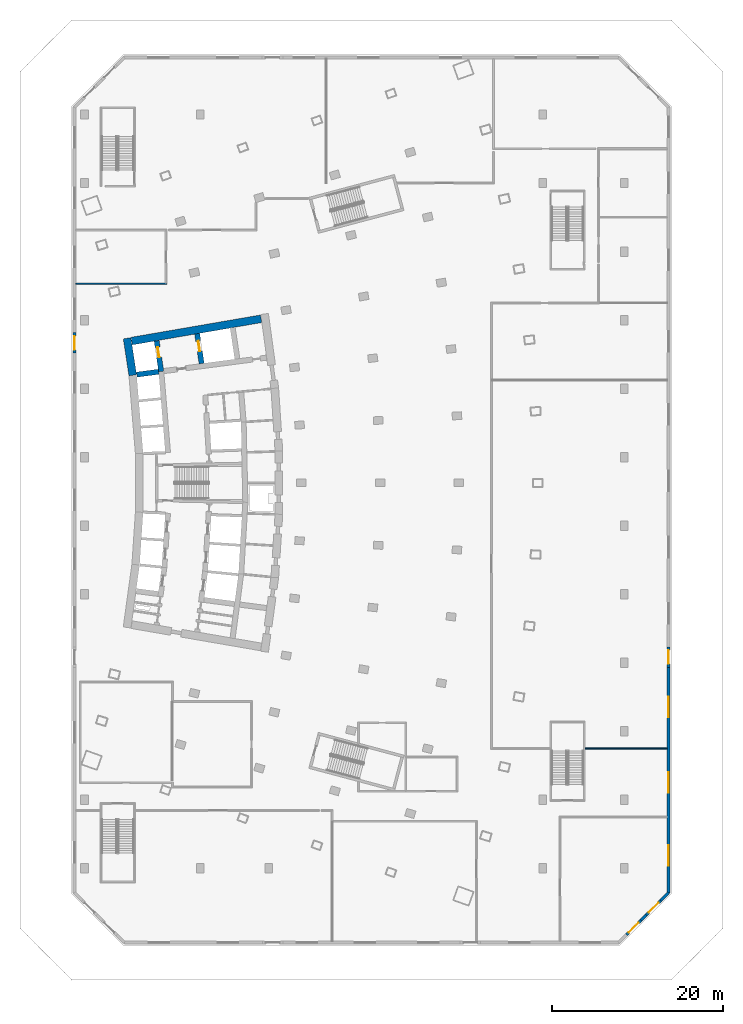
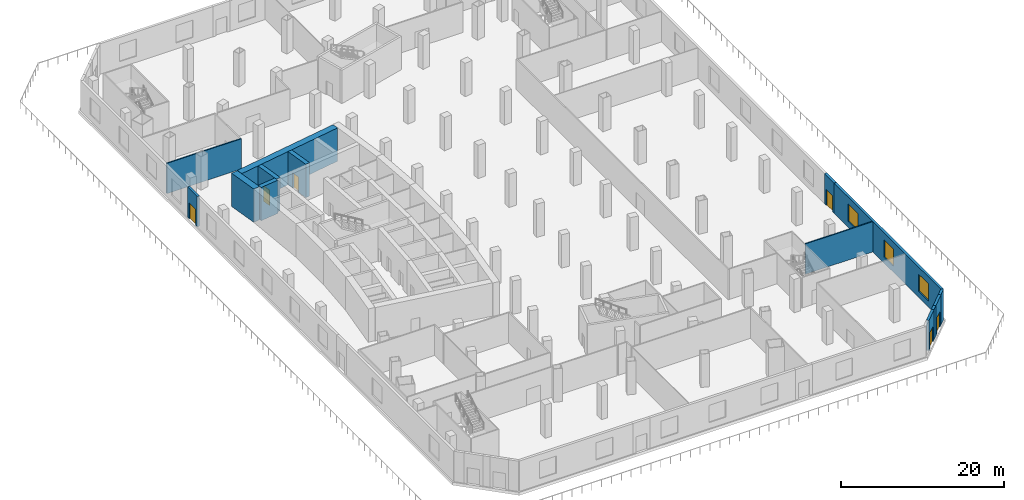
# One storey, part 6 of 15: 14 walls, 6 doors, 3 windows, 9 openings.
"""IFC4 building model written with IfcOpenShell, lengths in metres."""

import ifcopenshell
import ifcopenshell.guid

model = None  # the IFC model being written
_history = None  # IfcOwnerHistory: only IFC2X3 demands one
_inside = {}  # id of a spatial element -> (the spatial element, [elements in it])
_under = {}  # id of a project, library or spatial element -> (it, [spatial elements below it])
_declared = {}  # id of a project -> (the project, [libraries it declares])
_typed = {}  # id of a type object -> (the type object, [elements of that type])
_made_of = {}  # id of a material, layer set ... -> (it, [elements and type objects made of it])


def new_model(schema):
    """Start an empty IFC model of exactly this schema.

    Asked for "IFC4X3", IfcOpenShell would pick the latest addendum, in which some entities
    have other attributes; the version numbers below select the first issue.
    IFC2X3 requires an IfcOwnerHistory on every rooted entity: one is made here for all.
    """
    global model, _history
    if schema == "IFC4X3":
        model = ifcopenshell.file(schema_version=(4, 3, 0, 0))
    else:
        model = ifcopenshell.file(schema=schema)
    _inside.clear()
    _under.clear()
    _declared.clear()
    _typed.clear()
    _made_of.clear()
    _history = None
    if model.schema == "IFC2X3":
        org = make("IfcOrganization", Name="unknown")
        user = make(
            "IfcPersonAndOrganization",
            ThePerson=make("IfcPerson", FamilyName="unknown"),
            TheOrganization=org,
        )
        app = make(
            "IfcApplication",
            ApplicationDeveloper=org,
            Version="unknown",
            ApplicationFullName="unknown",
            ApplicationIdentifier="unknown",
        )
        _history = make(
            "IfcOwnerHistory",
            OwningUser=user,
            OwningApplication=app,
            ChangeAction="ADDED",
            CreationDate=0,
        )
    return model


def make(cls, **values):
    """One entity of the class cls with the attributes given. An attribute that is None is left unset."""
    return model.create_entity(
        cls, **{name: value for name, value in values.items() if value is not None}
    )


def rooted(cls, **values):
    """An entity with a GlobalId (a new one), such as an element, a storey or a relation."""
    return make(cls, GlobalId=ifcopenshell.guid.new(), OwnerHistory=_history, **values)


def si_unit(unit_type, name, prefix=None):
    """IfcSIUnit, for example si_unit("LENGTHUNIT", "METRE", prefix="MILLI")."""
    return make("IfcSIUnit", UnitType=unit_type, Prefix=prefix, Name=name)


def assignment(units):
    """IfcUnitAssignment: the units of a project."""
    return None if units is None else make("IfcUnitAssignment", Units=units)


def point(xyz):
    """IfcCartesianPoint."""
    return None if xyz is None else make("IfcCartesianPoint", Coordinates=xyz)


def direction(xyz):
    """IfcDirection."""
    return None if xyz is None else make("IfcDirection", DirectionRatios=xyz)


def frame(location, z_axis=None, x_axis=None):
    """IfcAxis2Placement3D, a coordinate frame: its origin and axes. An axis left out is left unset."""
    return make(
        "IfcAxis2Placement3D",
        Location=point(location),
        Axis=direction(z_axis),
        RefDirection=direction(x_axis),
    )


def frame_2d(location, x_axis=None):
    """IfcAxis2Placement2D, a coordinate frame in the plane: its origin and x axis."""
    return make(
        "IfcAxis2Placement2D", Location=point(location), RefDirection=direction(x_axis)
    )


def origin():
    """The frame at (0, 0, 0) with its axes left unset."""
    return frame((0.0, 0.0, 0.0))


def place(relative_to, where):
    """IfcLocalPlacement: puts the frame where relative to a parent placement (None: the world)."""
    return make(
        "IfcLocalPlacement", PlacementRelTo=relative_to, RelativePlacement=where
    )


def context(
    kind, dimensions, precision=None, world=None, true_north=None, identifier=None
):
    """IfcGeometricRepresentationContext, for example the 3D "Model" context."""
    return make(
        "IfcGeometricRepresentationContext",
        ContextIdentifier=identifier,
        ContextType=kind,
        CoordinateSpaceDimension=dimensions,
        Precision=precision,
        WorldCoordinateSystem=world,
        TrueNorth=true_north,
    )


def subcontext(parent, identifier, kind, view, scale=None):
    """IfcGeometricRepresentationSubContext, for example "Body" below "Model"."""
    return make(
        "IfcGeometricRepresentationSubContext",
        ContextIdentifier=identifier,
        ContextType=kind,
        ParentContext=parent,
        TargetScale=scale,
        TargetView=view,
    )


def project(units=None, contexts=None):
    """IfcProject with its units and contexts."""
    return rooted(
        "IfcProject",
        Name="project",
        RepresentationContexts=contexts,
        UnitsInContext=assignment(units),
    )


def spatial(cls, under=None, at=None, **own):
    """A site, building, storey or space (cls), placed at a placement, below another one or the project."""
    s = rooted(cls, ObjectPlacement=at, **own)
    if under is not None:
        _under.setdefault(under.id(), (under, []))[1].append(s)
    return s


def profile(cls, at=None, kind="AREA", **sizes):
    """A parametric profile (cls). Its sizes go by their IFC names, for example OverallWidth=200.0."""
    return make(cls, ProfileType=kind, Position=at, **sizes)


def rectangle(**sizes):
    """IfcRectangleProfileDef."""
    return profile("IfcRectangleProfileDef", **sizes)


def extrude(swept, where, along, depth):
    """IfcExtrudedAreaSolid: the profile swept, set in the frame where, extruded along a direction by depth."""
    return make(
        "IfcExtrudedAreaSolid",
        SweptArea=swept,
        Position=where,
        ExtrudedDirection=direction(along),
        Depth=depth,
    )


def shape(context_of_items, identifier, shape_type, items):
    """IfcShapeRepresentation: the items that make up one representation, for example the "Body"."""
    return make(
        "IfcShapeRepresentation",
        ContextOfItems=context_of_items,
        RepresentationIdentifier=identifier,
        RepresentationType=shape_type,
        Items=items,
    )


def material(Name=None, Category=None):
    """IfcMaterial."""
    return make("IfcMaterial", Name=Name, Category=Category)


def layer(
    of_material, thickness, ventilated=None, Name=None, Category=None, Priority=None
):
    """IfcMaterialLayer: one layer of a wall or slab, of a material (None: an air gap)."""
    return make(
        "IfcMaterialLayer",
        Material=of_material,
        LayerThickness=thickness,
        IsVentilated=ventilated,
        Name=Name,
        Category=Category,
        Priority=Priority,
    )


def layer_set(layers, Name=None):
    """IfcMaterialLayerSet."""
    return make("IfcMaterialLayerSet", MaterialLayers=layers, LayerSetName=Name)


def made_of(thing, what):
    """Note that an element or type object is made of a material, layer set ...; save() writes the relation."""
    if what is not None:
        _made_of.setdefault(what.id(), (what, []))[1].append(thing)
    return thing


def type_object(cls, material=None, **own):
    """A type object (cls), such as IfcWallType, which elements share."""
    return made_of(rooted(cls, **own), material)


def element(
    cls,
    number,
    at=None,
    inside=None,
    cuts=None,
    type_object=None,
    material=None,
    context=None,
    identifier="Body",
    shape_type=None,
    held_by="IfcProductDefinitionShape",
    body=None,
    shapes=None,
    **own,
):
    """One element of the class cls, such as IfcWall. Its Tag is "e" and its number.

    at: its placement. inside: the storey or other place that contains it. cuts: it is an
    opening in that element (IfcRelVoidsElement). A single representation is given by context,
    identifier, shape_type and body (its items); several are given by shapes. held_by: the class
    of the entity that holds the representations. save() writes the other relations.
    """
    e = rooted(cls, Tag="e%d" % number, ObjectPlacement=at, **own)
    if body is not None:
        shapes = [shape(context, identifier, shape_type, body)]
    if shapes is not None:
        e.Representation = make(held_by, Representations=shapes)
    if inside is not None:
        _inside.setdefault(inside.id(), (inside, []))[1].append(e)
    if cuts is not None:
        rooted(
            "IfcRelVoidsElement", RelatingBuildingElement=cuts, RelatedOpeningElement=e
        )
    if type_object is not None:
        _typed.setdefault(type_object.id(), (type_object, []))[1].append(e)
    return made_of(e, material)


def fill(opening, filler):
    """IfcRelFillsElement: the door or window that sits in an opening."""
    return rooted(
        "IfcRelFillsElement",
        RelatingOpeningElement=opening,
        RelatedBuildingElement=filler,
    )


def aggregate(whole, parts):
    """IfcRelAggregates: a whole, such as a stair, and the parts it consists of."""
    return rooted("IfcRelAggregates", RelatingObject=whole, RelatedObjects=parts)


def save(model, path):
    """Write the relations noted so far, then the file.

    IfcRelAggregates (storeys below a building ...), IfcRelContainedInSpatialStructure (elements
    in a storey), IfcRelDefinesByType, IfcRelAssociatesMaterial and IfcRelDeclares: one each for
    every whole, place, type object, material and project.
    """
    for whole, parts in _under.values():
        aggregate(whole, parts)
    for where, things in _inside.values():
        rooted(
            "IfcRelContainedInSpatialStructure",
            RelatedElements=things,
            RelatingStructure=where,
        )
    for kind, things in _typed.values():
        rooted("IfcRelDefinesByType", RelatedObjects=things, RelatingType=kind)
    for what, things in _made_of.values():
        rooted("IfcRelAssociatesMaterial", RelatedObjects=things, RelatingMaterial=what)
    for by, libraries in _declared.values():
        rooted("IfcRelDeclares", RelatingContext=by, RelatedDefinitions=libraries)
    model.write(path)


model = new_model("IFC4")

# Units and contexts
model_context = context("Model", 3, precision=1e-05, world=origin(), true_north=direction((0.0, 1.0)))
body_context = subcontext(model_context, "Body", "Model", "MODEL_VIEW")
ifc_project = project(units=[si_unit("LENGTHUNIT", "METRE"), si_unit("AREAUNIT", "SQUARE_METRE"), si_unit("VOLUMEUNIT", "CUBIC_METRE"), si_unit("PLANEANGLEUNIT", "RADIAN"), si_unit("MASSUNIT", "GRAM", prefix="KILO")], contexts=[model_context])

# Site, building, storey
site_placement = place(None, origin())
site = spatial("IfcSite", under=ifc_project, at=site_placement, CompositionType="ELEMENT")
building_placement = place(site_placement, origin())
building = spatial("IfcBuilding", under=site, at=building_placement, Name="Alderwake Tower", CompositionType="ELEMENT")
storey_placement = place(building_placement, frame((0.0, 0.0, 13.5)))
storey = spatial("IfcBuildingStorey", under=building, at=storey_placement, Name="L02", CompositionType="ELEMENT", Elevation=13.5)

# Walls
ifc_material_1 = material(Name="Concrete C70/85", Category="concrete")
ifc_layer_1 = layer(ifc_material_1, 0.89990234375)
ifc_layer_set_1 = layer_set([ifc_layer_1], Name="Core wall outer 900 C70-85")
wall_type_1 = type_object("IfcWallType", Name="Core wall outer 900 C70-85", PredefinedType="SHEAR", material=ifc_layer_set_1)
wall_1_placement = place(storey_placement, frame((16.1337890625, 73.557373046875, 0.0), z_axis=(0.0, 0.0, 1.0), x_axis=(-0.151956504286, 0.988387181627, 0.0)))
element("IfcWall", 1, at=wall_1_placement, inside=storey, type_object=wall_type_1, Name="Core wall CW.039", PredefinedType="SHEAR", context=body_context, shape_type="SweptSolid", body=[
    extrude(rectangle(XDim=4.373291015625, YDim=0.89990234375, at=frame_2d((2.1865234375, 0.0))), origin(), (0.0, 0.0, 1.0), 5.0),
])
wall_2_placement = place(storey_placement, frame((16.005615234375, 77.548828125, 0.0), z_axis=(0.0, 0.0, 1.0), x_axis=(0.985465815888, 0.169873852363, 0.0)))
element("IfcWall", 2, at=wall_2_placement, inside=storey, type_object=wall_type_1, Name="Core wall CW.053", PredefinedType="SHEAR", context=body_context, shape_type="SweptSolid", body=[
    extrude(rectangle(XDim=15.33056640625, YDim=0.89990234375, at=frame_2d((7.665283203125, 0.0))), origin(), (0.0, 0.0, 1.0), 5.0),
])

# Wall, opening, door
ifc_material_2 = material(Name="Concrete C70/85", Category="concrete")
ifc_layer_2 = layer(ifc_material_2, 0.60009765625)
ifc_layer_set_2 = layer_set([ifc_layer_2], Name="Core wall spine 600 C70-85")
wall_type_2 = type_object("IfcWallType", Name="Core wall spine 600 C70-85", PredefinedType="SHEAR", material=ifc_layer_set_2)
wall_3_placement = place(storey_placement, frame((19.45458984375, 73.99755859375, 0.0), z_axis=(0.0, 0.0, 1.0), x_axis=(-0.147502312715, 0.989061710786, 0.0)))
wall_3 = element("IfcWall", 3, at=wall_3_placement, inside=storey, type_object=wall_type_2, Name="Core wall CW.030", PredefinedType="SHEAR", context=body_context, shape_type="SweptSolid", body=[
    extrude(rectangle(XDim=3.6181640625, YDim=0.60009765625, at=frame_2d((1.80908203125, 0.0))), origin(), (0.0, 0.0, 1.0), 5.0),
])
opening_1_placement = place(wall_3_placement, frame((1.664306640625, 0.0, 0.0)))
opening_1 = element("IfcOpeningElement", 4, at=opening_1_placement, cuts=wall_3, Name="Opening LD-FF1", PredefinedType="OPENING", context=body_context, shape_type="SweptSolid", body=[
    extrude(rectangle(XDim=1.199951171875, YDim=2.300048828125, at=frame_2d((0.60009765625, 1.14990234375))), frame((0.0, 0.31005859375, 0.0), z_axis=(0.0, -1.0, 0.0), x_axis=(1.0, 0.0, 0.0)), (0.0, 0.0, 1.0), 0.6201171875),
])
ifc_material_3 = material(Name="Stainless steel sliding leaf", Category="steel")
door_type_1 = type_object("IfcDoorType", Name="Lift landing door 1200", OperationType="SLIDING_TO_LEFT", PredefinedType="DOOR", material=ifc_material_3)
door_1_placement = place(opening_1_placement, origin())
door_1 = element("IfcDoor", 5, at=door_1_placement, inside=storey, type_object=door_type_1, Name="Lift landing door FF1", OperationType="SLIDING_TO_LEFT", OverallHeight=2.300048828125, OverallWidth=1.199951171875, PredefinedType="DOOR", context=body_context, shape_type="SweptSolid", body=[
    extrude(rectangle(XDim=1.199951171875, YDim=2.300048828125, at=frame_2d((0.60009765625, 1.14990234375))), frame((0.0, 0.050048828125, 0.0), z_axis=(0.0, -1.0, 0.0), x_axis=(1.0, 0.0, 0.0)), (0.0, 0.0, 1.0), 0.10009765625),
])
fill(opening_1, door_1)

wall_4_placement = place(storey_placement, frame((24.173095703125, 74.927734375, 0.0), z_axis=(0.0, 0.0, 1.0), x_axis=(-0.14910953086, 0.988820685365, 0.0)))
wall_4 = element("IfcWall", 6, at=wall_4_placement, inside=storey, type_object=wall_type_2, Name="Core wall CW.044", PredefinedType="SHEAR", context=body_context, shape_type="SweptSolid", body=[
    extrude(rectangle(XDim=3.5234375, YDim=0.60009765625, at=frame_2d((1.76171875, 0.0))), origin(), (0.0, 0.0, 1.0), 5.0),
])
opening_2_placement = place(wall_4_placement, frame((1.4619140625, 0.0, 0.0)))
opening_2 = element("IfcOpeningElement", 7, at=opening_2_placement, cuts=wall_4, Name="Opening LD-FF2", PredefinedType="OPENING", context=body_context, shape_type="SweptSolid", body=[
    extrude(rectangle(XDim=1.199951171875, YDim=2.300048828125, at=frame_2d((0.60009765625, 1.14990234375))), frame((0.0, 0.31005859375, 0.0), z_axis=(0.0, -1.0, 0.0), x_axis=(1.0, 0.0, 0.0)), (0.0, 0.0, 1.0), 0.6201171875),
])
door_2_placement = place(opening_2_placement, origin())
door_2 = element("IfcDoor", 8, at=door_2_placement, inside=storey, type_object=door_type_1, Name="Lift landing door FF2", OperationType="SLIDING_TO_LEFT", OverallHeight=2.300048828125, OverallWidth=1.199951171875, PredefinedType="DOOR", context=body_context, shape_type="SweptSolid", body=[
    extrude(rectangle(XDim=1.199951171875, YDim=2.300048828125, at=frame_2d((0.60009765625, 1.14990234375))), frame((0.0, 0.050048828125, 0.0), z_axis=(0.0, -1.0, 0.0), x_axis=(1.0, 0.0, 0.0)), (0.0, 0.0, 1.0), 0.10009765625),
])
fill(opening_2, door_2)

# Walls
wall_5_placement = place(storey_placement, frame((16.607666015625, 73.635498046875, 0.0), z_axis=(0.0, 0.0, 1.0), x_axis=(0.991551057449, 0.129717001478, 0.0)))
element("IfcWall", 9, at=wall_5_placement, inside=storey, type_object=wall_type_2, Name="Core wall CW.051", PredefinedType="SHEAR", context=body_context, shape_type="SweptSolid", body=[
    extrude(rectangle(XDim=2.569091796875, YDim=0.60009765625, at=frame_2d((1.28466796875, 0.0))), origin(), (0.0, 0.0, 1.0), 5.0),
])
ifc_material_4 = material(Name="Gypsum board on metal studs, rated")
ifc_layer_3 = layer(ifc_material_4, 0.159912109375)
ifc_layer_set_3 = layer_set([ifc_layer_3], Name="Corridor wall 160")
wall_type_3 = type_object("IfcWallType", Name="Corridor wall 160", PredefinedType="PARTITIONING", material=ifc_layer_set_3)
wall_6_placement = place(storey_placement, frame((20.0810546875, 84.2490234375, 0.0), z_axis=(0.0, 0.0, 1.0), x_axis=(-1.0, 0.0, 0.0)))
element("IfcWall", 10, at=wall_6_placement, inside=storey, type_object=wall_type_3, Name="WL/L02/W24", PredefinedType="PARTITIONING", context=body_context, shape_type="SweptSolid", body=[
    extrude(rectangle(XDim=10.580078125, YDim=0.159912109375, at=frame_2d((5.2900390625, 0.0))), origin(), (0.0, 0.0, 1.0), 4.550048828125),
])
wall_7_placement = place(storey_placement, frame((78.5009765625, 30.0, 0.0), z_axis=(0.0, 0.0, 1.0), x_axis=(-1.0, 0.0, 0.0)))
element("IfcWall", 11, at=wall_7_placement, inside=storey, type_object=wall_type_3, Name="WL/L02/W59", PredefinedType="PARTITIONING", context=body_context, shape_type="SweptSolid", body=[
    extrude(rectangle(XDim=9.60009765625, YDim=0.159912109375, at=frame_2d((4.800048828125, 0.0))), origin(), (0.0, 0.0, 1.0), 4.550048828125),
])

# Wall, opening, door
ifc_material_5 = material(Name="Precast concrete C50/60 spandrel panel", Category="concrete")
ifc_layer_4 = layer(ifc_material_5, 0.35009765625)
ifc_layer_set_4 = layer_set([ifc_layer_4], Name="External wall EW4 Precast concrete C50/60 podium")
wall_type_4 = type_object("IfcWallType", Name="External wall EW4 Precast concrete C50/60 podium", PredefinedType="SOLIDWALL", material=ifc_layer_set_4)
wall_8_placement = place(storey_placement, frame((73.748291015625, 8.2431640625, 0.0), z_axis=(0.0, 0.0, 1.0), x_axis=(0.707106781187, 0.707106781187, 0.0)))
wall_8 = element("IfcWall", 12, at=wall_8_placement, inside=storey, type_object=wall_type_4, Name="External wall 7", PredefinedType="SOLIDWALL", context=body_context, shape_type="SweptSolid", body=[
    extrude(rectangle(XDim=2.39990234375, YDim=0.35009765625, at=frame_2d((1.199951171875, 0.0))), origin(), (0.0, 0.0, 1.0), 4.550048828125),
])
opening_3_placement = place(wall_8_placement, frame((0.39990234375, 0.0, 0.0)))
opening_3 = element("IfcOpeningElement", 13, at=opening_3_placement, cuts=wall_8, Name="Opening D03", PredefinedType="OPENING", context=body_context, shape_type="SweptSolid", body=[
    extrude(rectangle(XDim=1.60009765625, YDim=2.39990234375, at=frame_2d((0.800048828125, 1.199951171875))), frame((0.0, 0.18505859375, 0.0), z_axis=(0.0, -1.0, 0.0), x_axis=(1.0, 0.0, 0.0)), (0.0, 0.0, 1.0), 0.3701171875),
])
ifc_material_6 = material(Name="Bronze tinted glass in aluminium frame", Category="aluminium")
door_type_2 = type_object("IfcDoorType", Name="Terrace door TD sliding", OperationType="SLIDING_TO_LEFT", PredefinedType="DOOR", material=ifc_material_6)
door_3_placement = place(opening_3_placement, origin())
door_3 = element("IfcDoor", 14, at=door_3_placement, inside=storey, type_object=door_type_2, Name="Door D03", OperationType="SLIDING_TO_LEFT", OverallHeight=2.39990234375, OverallWidth=1.60009765625, PredefinedType="DOOR", context=body_context, shape_type="SweptSolid", body=[
    extrude(rectangle(XDim=1.60009765625, YDim=2.39990234375, at=frame_2d((0.800048828125, 1.199951171875))), frame((0.0, 0.02490234375, 0.0), z_axis=(0.0, -1.0, 0.0), x_axis=(1.0, 0.0, 0.0)), (0.0, 0.0, 1.0), 0.050048828125),
])
fill(opening_3, door_3)

# Wall
wall_9_placement = place(storey_placement, frame((75.4453125, 9.940185546875, 0.0), z_axis=(0.0, 0.0, 1.0), x_axis=(0.706968687883, 0.707244847527, 0.0)))
element("IfcWall", 15, at=wall_9_placement, inside=storey, type_object=wall_type_4, Name="External wall 8", PredefinedType="SOLIDWALL", context=body_context, shape_type="SweptSolid", body=[
    extrude(rectangle(XDim=0.884033203125, YDim=0.35009765625, at=frame_2d((0.44189453125, 0.0))), origin(), (0.0, 0.0, 1.0), 4.550048828125),
])

# Wall, opening, door
wall_10_placement = place(storey_placement, frame((76.0703125, 10.5654296875, 0.0), z_axis=(0.0, 0.0, 1.0), x_axis=(0.707157639372, 0.707055919343, 0.0)))
wall_10 = element("IfcWall", 16, at=wall_10_placement, inside=storey, type_object=wall_type_4, Name="External wall 9", PredefinedType="SOLIDWALL", context=body_context, shape_type="SweptSolid", body=[
    extrude(rectangle(XDim=2.400146484375, YDim=0.35009765625, at=frame_2d((1.2001953125, 0.0))), origin(), (0.0, 0.0, 1.0), 4.550048828125),
])
opening_4_placement = place(wall_10_placement, frame((0.39990234375, 0.0, 0.0)))
opening_4 = element("IfcOpeningElement", 17, at=opening_4_placement, cuts=wall_10, Name="Opening D04", PredefinedType="OPENING", context=body_context, shape_type="SweptSolid", body=[
    extrude(rectangle(XDim=1.60009765625, YDim=2.39990234375, at=frame_2d((0.800048828125, 1.199951171875))), frame((0.0, 0.18505859375, 0.0), z_axis=(0.0, -1.0, 0.0), x_axis=(1.0, 0.0, 0.0)), (0.0, 0.0, 1.0), 0.3701171875),
])
door_4_placement = place(opening_4_placement, origin())
door_4 = element("IfcDoor", 18, at=door_4_placement, inside=storey, type_object=door_type_2, Name="Door D04", OperationType="SLIDING_TO_LEFT", OverallHeight=2.39990234375, OverallWidth=1.60009765625, PredefinedType="DOOR", context=body_context, shape_type="SweptSolid", body=[
    extrude(rectangle(XDim=1.60009765625, YDim=2.39990234375, at=frame_2d((0.800048828125, 1.199951171875))), frame((0.0, 0.02490234375, 0.0), z_axis=(0.0, -1.0, 0.0), x_axis=(1.0, 0.0, 0.0)), (0.0, 0.0, 1.0), 0.050048828125),
])
fill(opening_4, door_4)

# Wall
wall_11_placement = place(storey_placement, frame((77.767578125, 12.262451171875, 0.0), z_axis=(0.0, 0.0, 1.0), x_axis=(0.707106781187, 0.707106781187, 0.0)))
element("IfcWall", 19, at=wall_11_placement, inside=storey, type_object=wall_type_4, Name="External wall 10", PredefinedType="SOLIDWALL", context=body_context, shape_type="SweptSolid", body=[
    extrude(rectangle(XDim=1.262939453125, YDim=0.35009765625, at=frame_2d((0.63134765625, 0.0))), origin(), (0.0, 0.0, 1.0), 4.550048828125),
])

# Wall, openings, windows
wall_12_placement = place(storey_placement, frame((78.64990234375, 13.14501953125, 0.0), z_axis=(0.0, 0.0, 1.0), x_axis=(0.0, 1.0, 0.0)))
wall_12 = element("IfcWall", 20, at=wall_12_placement, inside=storey, type_object=wall_type_4, Name="External wall 11", PredefinedType="SOLIDWALL", context=body_context, shape_type="SweptSolid", body=[
    extrude(rectangle(XDim=26.3173828125, YDim=0.35009765625, at=frame_2d((13.15869140625, 0.0))), origin(), (0.0, 0.0, 1.0), 4.550048828125),
])
opening_5_placement = place(wall_12_placement, frame((3.136962890625, 0.0, 0.89990234375)))
opening_5 = element("IfcOpeningElement", 21, at=opening_5_placement, cuts=wall_12, Name="Opening W6", PredefinedType="OPENING", context=body_context, shape_type="SweptSolid", body=[
    extrude(rectangle(XDim=2.39990234375, YDim=2.60009765625, at=frame_2d((1.199951171875, 1.300048828125))), frame((0.0, 0.18505859375, 0.0), z_axis=(0.0, -1.0, 0.0), x_axis=(1.0, 0.0, 0.0)), (0.0, 0.0, 1.0), 0.3701171875),
])
opening_6_placement = place(wall_12_placement, frame((11.654541015625, 0.0, 0.89990234375)))
opening_6 = element("IfcOpeningElement", 22, at=opening_6_placement, cuts=wall_12, Name="Opening W6", PredefinedType="OPENING", context=body_context, shape_type="SweptSolid", body=[
    extrude(rectangle(XDim=2.39990234375, YDim=2.60009765625, at=frame_2d((1.199951171875, 1.300048828125))), frame((0.0, 0.18505859375, 0.0), z_axis=(0.0, -1.0, 0.0), x_axis=(1.0, 0.0, 0.0)), (0.0, 0.0, 1.0), 0.3701171875),
])
opening_7_placement = place(wall_12_placement, frame((20.476318359375, 0.0, 0.89990234375)))
opening_7 = element("IfcOpeningElement", 23, at=opening_7_placement, cuts=wall_12, Name="Opening W6", PredefinedType="OPENING", context=body_context, shape_type="SweptSolid", body=[
    extrude(rectangle(XDim=2.39990234375, YDim=2.60009765625, at=frame_2d((1.199951171875, 1.300048828125))), frame((0.0, 0.18505859375, 0.0), z_axis=(0.0, -1.0, 0.0), x_axis=(1.0, 0.0, 0.0)), (0.0, 0.0, 1.0), 0.3701171875),
])
ifc_material_7 = material(Name="Bronze tinted glass in aluminium frame", Category="aluminium")
window_type = type_object("IfcWindowType", Name="Window W6 podium", PartitioningType="DOUBLE_PANEL_VERTICAL", PredefinedType="WINDOW", material=ifc_material_7)
window_1_placement = place(opening_5_placement, origin())
window_1 = element("IfcWindow", 24, at=window_1_placement, inside=storey, type_object=window_type, Name="Window W6 podium", OverallHeight=2.60009765625, OverallWidth=2.39990234375, PartitioningType="DOUBLE_PANEL_VERTICAL", PredefinedType="WINDOW", context=body_context, shape_type="SweptSolid", body=[
    extrude(rectangle(XDim=2.39990234375, YDim=2.60009765625, at=frame_2d((1.199951171875, 1.300048828125))), frame((0.0, 0.030029296875, 0.0), z_axis=(0.0, -1.0, 0.0), x_axis=(1.0, 0.0, 0.0)), (0.0, 0.0, 1.0), 0.06005859375),
])
fill(opening_5, window_1)
window_2_placement = place(opening_6_placement, origin())
window_2 = element("IfcWindow", 25, at=window_2_placement, inside=storey, type_object=window_type, Name="Window W6 podium", OverallHeight=2.60009765625, OverallWidth=2.39990234375, PartitioningType="DOUBLE_PANEL_VERTICAL", PredefinedType="WINDOW", context=body_context, shape_type="SweptSolid", body=[
    extrude(rectangle(XDim=2.39990234375, YDim=2.60009765625, at=frame_2d((1.199951171875, 1.300048828125))), frame((0.0, 0.030029296875, 0.0), z_axis=(0.0, -1.0, 0.0), x_axis=(1.0, 0.0, 0.0)), (0.0, 0.0, 1.0), 0.06005859375),
])
fill(opening_6, window_2)
window_3_placement = place(opening_7_placement, origin())
window_3 = element("IfcWindow", 26, at=window_3_placement, inside=storey, type_object=window_type, Name="Window W6 podium", OverallHeight=2.60009765625, OverallWidth=2.39990234375, PartitioningType="DOUBLE_PANEL_VERTICAL", PredefinedType="WINDOW", context=body_context, shape_type="SweptSolid", body=[
    extrude(rectangle(XDim=2.39990234375, YDim=2.60009765625, at=frame_2d((1.199951171875, 1.300048828125))), frame((0.0, 0.030029296875, 0.0), z_axis=(0.0, -1.0, 0.0), x_axis=(1.0, 0.0, 0.0)), (0.0, 0.0, 1.0), 0.06005859375),
])
fill(opening_7, window_3)

# Wall, opening, door
wall_13_placement = place(storey_placement, frame((78.64990234375, 39.46240234375, 0.0), z_axis=(0.0, 0.0, 1.0), x_axis=(0.0, 1.0, 0.0)))
wall_13 = element("IfcWall", 27, at=wall_13_placement, inside=storey, type_object=wall_type_4, Name="External wall 12", PredefinedType="SOLIDWALL", context=body_context, shape_type="SweptSolid", body=[
    extrude(rectangle(XDim=2.400146484375, YDim=0.35009765625, at=frame_2d((1.2001953125, 0.0))), origin(), (0.0, 0.0, 1.0), 4.550048828125),
])
opening_8_placement = place(wall_13_placement, frame((0.39990234375, 0.0, 0.0)))
opening_8 = element("IfcOpeningElement", 28, at=opening_8_placement, cuts=wall_13, Name="Opening D05", PredefinedType="OPENING", context=body_context, shape_type="SweptSolid", body=[
    extrude(rectangle(XDim=1.60009765625, YDim=2.39990234375, at=frame_2d((0.800048828125, 1.199951171875))), frame((0.0, 0.18505859375, 0.0), z_axis=(0.0, -1.0, 0.0), x_axis=(1.0, 0.0, 0.0)), (0.0, 0.0, 1.0), 0.3701171875),
])
door_5_placement = place(opening_8_placement, origin())
door_5 = element("IfcDoor", 29, at=door_5_placement, inside=storey, type_object=door_type_2, Name="Door D05", OperationType="SLIDING_TO_LEFT", OverallHeight=2.39990234375, OverallWidth=1.60009765625, PredefinedType="DOOR", context=body_context, shape_type="SweptSolid", body=[
    extrude(rectangle(XDim=1.60009765625, YDim=2.39990234375, at=frame_2d((0.800048828125, 1.199951171875))), frame((0.0, 0.02490234375, 0.0), z_axis=(0.0, -1.0, 0.0), x_axis=(1.0, 0.0, 0.0)), (0.0, 0.0, 1.0), 0.050048828125),
])
fill(opening_8, door_5)

wall_14_placement = place(storey_placement, frame((9.35009765625, 78.53759765625, 0.0), z_axis=(0.0, 0.0, 1.0), x_axis=(0.0, -1.0, 0.0)))
wall_14 = element("IfcWall", 30, at=wall_14_placement, inside=storey, type_object=wall_type_4, Name="External wall 28", PredefinedType="SOLIDWALL", context=body_context, shape_type="SweptSolid", body=[
    extrude(rectangle(XDim=2.400146484375, YDim=0.35009765625, at=frame_2d((1.2001953125, 0.0))), origin(), (0.0, 0.0, 1.0), 4.550048828125),
])
opening_9_placement = place(wall_14_placement, frame((0.39990234375, 0.0, 0.0)))
opening_9 = element("IfcOpeningElement", 31, at=opening_9_placement, cuts=wall_14, Name="Opening D11", PredefinedType="OPENING", context=body_context, shape_type="SweptSolid", body=[
    extrude(rectangle(XDim=1.60009765625, YDim=2.39990234375, at=frame_2d((0.800048828125, 1.199951171875))), frame((0.0, 0.18505859375, 0.0), z_axis=(0.0, -1.0, 0.0), x_axis=(1.0, 0.0, 0.0)), (0.0, 0.0, 1.0), 0.3701171875),
])
door_6_placement = place(opening_9_placement, origin())
door_6 = element("IfcDoor", 32, at=door_6_placement, inside=storey, type_object=door_type_2, Name="Door D11", OperationType="SLIDING_TO_LEFT", OverallHeight=2.39990234375, OverallWidth=1.60009765625, PredefinedType="DOOR", context=body_context, shape_type="SweptSolid", body=[
    extrude(rectangle(XDim=1.60009765625, YDim=2.39990234375, at=frame_2d((0.800048828125, 1.199951171875))), frame((0.0, 0.02490234375, 0.0), z_axis=(0.0, -1.0, 0.0), x_axis=(1.0, 0.0, 0.0)), (0.0, 0.0, 1.0), 0.050048828125),
])
fill(opening_9, door_6)

save(model, "model.ifc")
